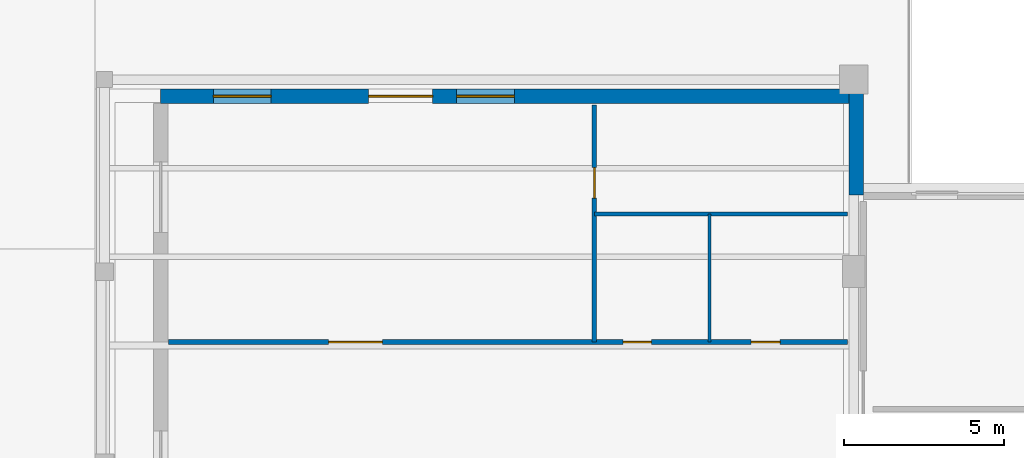
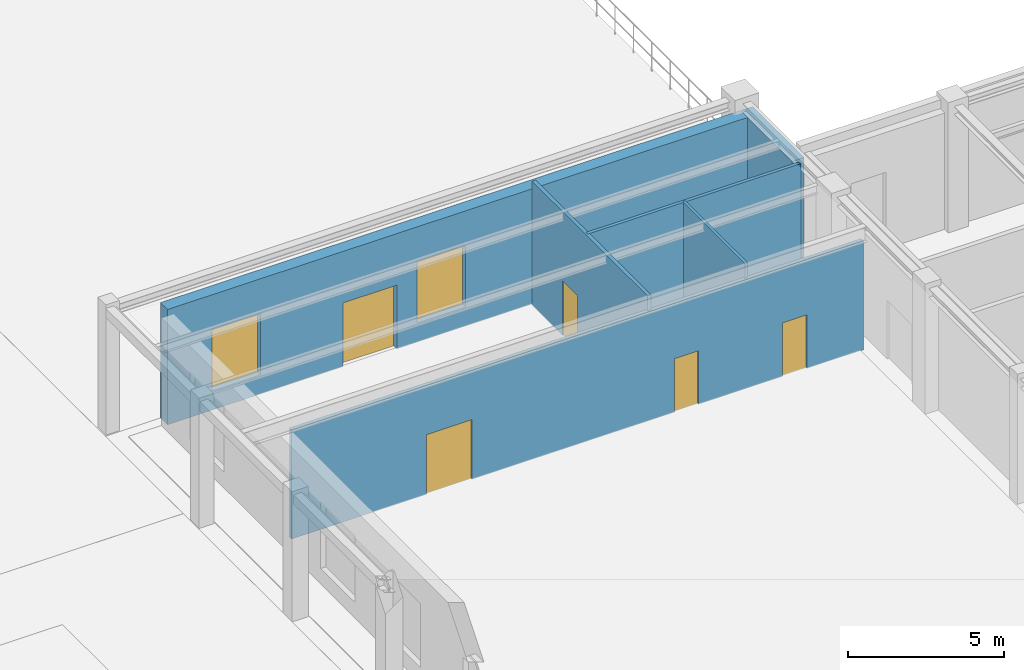
# One storey, part 41 of 68: 6 walls, 5 doors, 2 windows, 7 openings.
"""IFC4 building model written with IfcOpenShell, lengths in metres."""

from ifc_helpers import new_model, si_unit, direction, frame, frame_2d, origin, place, context, subcontext, project, spatial, rectangle, extrude, material, layer, layer_set, type_object, element, fill, save


model = new_model("IFC4")

# Units and contexts
model_context = context("Model", 3, precision=1e-05, world=origin(), true_north=direction((0.0, 1.0)))
body_context = subcontext(model_context, "Body", "Model", "MODEL_VIEW")
ifc_project = project(units=[si_unit("LENGTHUNIT", "METRE"), si_unit("AREAUNIT", "SQUARE_METRE"), si_unit("VOLUMEUNIT", "CUBIC_METRE"), si_unit("PLANEANGLEUNIT", "RADIAN"), si_unit("MASSUNIT", "GRAM", prefix="KILO"), si_unit("THERMODYNAMICTEMPERATUREUNIT", "KELVIN"), si_unit("POWERUNIT", "WATT")], contexts=[model_context])

# Site, building, storey
site_placement = place(None, origin())
site = spatial("IfcSite", under=ifc_project, at=site_placement, CompositionType="ELEMENT")
building_placement = place(site_placement, origin())
building = spatial("IfcBuilding", under=site, at=building_placement, Name="Solvatero Civic Police Headquarters", CompositionType="ELEMENT")
storey_placement = place(building_placement, origin())
storey = spatial("IfcBuildingStorey", under=building, at=storey_placement, Name="L00", CompositionType="ELEMENT", Elevation=0.0)

# Wall, openings, door, windows
ifc_material_1 = material(Name="Grey Sandstone Ashlar", Category="masonry")
ifc_layer_1 = layer(ifc_material_1, 0.449951171875)
ifc_layer_set_1 = layer_set([ifc_layer_1], Name="Grey Sandstone Ashlar")
wall_type_1 = type_object("IfcWallType", Name="WL-EXT-SAND-450", PredefinedType="SOLIDWALL", material=ifc_layer_set_1)
wall_1_placement = place(storey_placement, frame((100.550048828125, 46.280029296875, 0.0), z_axis=(0.0, 0.0, 1.0), x_axis=(1.0, 0.0, 0.0)))
wall_1 = element("IfcWall", 1, at=wall_1_placement, inside=storey, type_object=wall_type_1, Name="Exterior Wall WLE-L00-V1-N", PredefinedType="SOLIDWALL", context=body_context, shape_type="SweptSolid", body=[
    extrude(rectangle(XDim=21.72998046875, YDim=0.449951171875, at=frame_2d((10.864990234375, 0.0))), origin(), (0.0, 0.0, 1.0), 4.51806640625),
])
opening_1_placement = place(wall_1_placement, frame((6.5, 0.0, 0.0)))
opening_1 = element("IfcOpeningElement", 2, at=opening_1_placement, cuts=wall_1, Name="Opening ED-05", PredefinedType="OPENING", context=body_context, shape_type="SweptSolid", body=[
    extrude(rectangle(XDim=2.0, YDim=2.5, at=frame_2d((1.0, 1.25))), frame((0.0, 0.23486328125, 0.0), z_axis=(0.0, -1.0, 0.0), x_axis=(1.0, 0.0, 0.0)), (0.0, 0.0, 1.0), 0.469970703125),
])
opening_2_placement = place(wall_1_placement, frame((1.64990234375, 0.0, 0.75)))
opening_2 = element("IfcOpeningElement", 3, at=opening_2_placement, cuts=wall_1, Name="Opening W-05", PredefinedType="OPENING", context=body_context, shape_type="SweptSolid", body=[
    extrude(rectangle(XDim=1.800048828125, YDim=2.39990234375, at=frame_2d((0.89990234375, 1.199951171875))), frame((0.0, 0.23486328125, 0.0), z_axis=(0.0, -1.0, 0.0), x_axis=(1.0, 0.0, 0.0)), (0.0, 0.0, 1.0), 0.469970703125),
])
opening_3_placement = place(wall_1_placement, frame((9.25, 0.0, 0.75)))
opening_3 = element("IfcOpeningElement", 4, at=opening_3_placement, cuts=wall_1, Name="Opening W-05", PredefinedType="OPENING", context=body_context, shape_type="SweptSolid", body=[
    extrude(rectangle(XDim=1.800048828125, YDim=2.39990234375, at=frame_2d((0.89990234375, 1.199951171875))), frame((0.0, 0.23486328125, 0.0), z_axis=(0.0, -1.0, 0.0), x_axis=(1.0, 0.0, 0.0)), (0.0, 0.0, 1.0), 0.469970703125),
])
ifc_material_2 = material(Name="Anodized Bronze Aluminium and Laminated Glass", Category="aluminium")
door_type_1 = type_object("IfcDoorType", Name="DR-EXT-200x250", OperationType="DOUBLE_DOOR_SINGLE_SWING", PredefinedType="DOOR", material=ifc_material_2)
door_1_placement = place(opening_1_placement, origin())
door_1 = element("IfcDoor", 5, at=door_1_placement, inside=storey, type_object=door_type_1, Name="Exterior Door DR-L00-V1-NORTH", OperationType="DOUBLE_DOOR_SINGLE_SWING", OverallHeight=2.5, OverallWidth=2.0, PredefinedType="DOOR", context=body_context, shape_type="SweptSolid", body=[
    extrude(rectangle(XDim=2.0, YDim=2.5, at=frame_2d((1.0, 1.25))), frame((0.0, 0.02490234375, 0.0), z_axis=(0.0, -1.0, 0.0), x_axis=(1.0, 0.0, 0.0)), (0.0, 0.0, 1.0), 0.050048828125),
])
fill(opening_1, door_1)
ifc_material_3 = material(Name="Anodized Bronze Aluminium", Category="aluminium")
window_type = type_object("IfcWindowType", Name="WN-CL-180x240", PartitioningType="SINGLE_PANEL", PredefinedType="WINDOW", material=ifc_material_3)
window_1_placement = place(opening_2_placement, origin())
window_1 = element("IfcWindow", 6, at=window_1_placement, inside=storey, type_object=window_type, Name="Exterior Window 0273", OverallHeight=2.39990234375, OverallWidth=1.800048828125, PartitioningType="SINGLE_PANEL", PredefinedType="WINDOW", context=body_context, shape_type="SweptSolid", body=[
    extrude(rectangle(XDim=1.800048828125, YDim=2.39990234375, at=frame_2d((0.89990234375, 1.199951171875))), frame((0.0, 0.030029296875, 0.0), z_axis=(0.0, -1.0, 0.0), x_axis=(1.0, 0.0, 0.0)), (0.0, 0.0, 1.0), 0.06005859375),
])
fill(opening_2, window_1)
window_2_placement = place(opening_3_placement, origin())
window_2 = element("IfcWindow", 7, at=window_2_placement, inside=storey, type_object=window_type, Name="Exterior Window 0274", OverallHeight=2.39990234375, OverallWidth=1.800048828125, PartitioningType="SINGLE_PANEL", PredefinedType="WINDOW", context=body_context, shape_type="SweptSolid", body=[
    extrude(rectangle(XDim=1.800048828125, YDim=2.39990234375, at=frame_2d((0.89990234375, 1.199951171875))), frame((0.0, 0.030029296875, 0.0), z_axis=(0.0, -1.0, 0.0), x_axis=(1.0, 0.0, 0.0)), (0.0, 0.0, 1.0), 0.06005859375),
])
fill(opening_3, window_2)

# Walls
wall_2_placement = place(storey_placement, frame((122.280029296875, 43.199951171875, 0.0), z_axis=(0.0, 0.0, 1.0), x_axis=(0.0, 1.0, 0.0)))
element("IfcWall", 8, at=wall_2_placement, inside=storey, type_object=wall_type_1, Name="Exterior Wall WLE-L00-V1-NE", PredefinedType="SOLIDWALL", context=body_context, shape_type="SweptSolid", body=[
    extrude(rectangle(XDim=3.300048828125, YDim=0.449951171875, at=frame_2d((1.64990234375, 0.0))), origin(), (0.0, 0.0, 1.0), 4.52001953125),
])
ifc_material_4 = material(Name="Gypsum Acoustic Stud", Category="gypsum")
ifc_layer_2 = layer(ifc_material_4, 0.10009765625)
ifc_layer_set_2 = layer_set([ifc_layer_2], Name="Gypsum Acoustic Stud")
wall_type_2 = type_object("IfcWallType", Name="WL-PTN-100", PredefinedType="PARTITIONING", material=ifc_layer_set_2)
wall_3_placement = place(storey_placement, frame((117.699951171875, 38.60009765625, 0.0), z_axis=(0.0, 0.0, 1.0), x_axis=(0.0, 1.0, 0.0)))
element("IfcWall", 9, at=wall_3_placement, inside=storey, type_object=wall_type_2, Name="Interior Partition WLP-L00-V1-WCD1", PredefinedType="PARTITIONING", context=body_context, shape_type="SweptSolid", body=[
    extrude(rectangle(XDim=4.0, YDim=0.10009765625, at=frame_2d((2.0, 0.0))), origin(), (0.0, 0.0, 1.0), 4.860107421875),
])
ifc_layer_3 = layer(ifc_material_4, 0.1201171875)
ifc_layer_set_3 = layer_set([ifc_layer_3], Name="Gypsum Acoustic Stud")
wall_type_3 = type_object("IfcWallType", Name="WL-PTN-120", PredefinedType="PARTITIONING", material=ifc_layer_set_3)
wall_4_placement = place(storey_placement, frame((114.10009765625, 42.60009765625, 0.0), z_axis=(0.0, 0.0, 1.0), x_axis=(1.0, 0.0, 0.0)))
element("IfcWall", 10, at=wall_4_placement, inside=storey, type_object=wall_type_3, Name="Interior Partition WLP-L00-V1-WCD2", PredefinedType="PARTITIONING", context=body_context, shape_type="SweptSolid", body=[
    extrude(rectangle(XDim=7.89990234375, YDim=0.1201171875, at=frame_2d((3.949951171875, 0.0))), origin(), (0.0, 0.0, 1.0), 4.860107421875),
])

# Wall, opening, door
ifc_material_5 = material(Name="Gypsum Double-Stud", Category="gypsum")
ifc_layer_4 = layer(ifc_material_5, 0.135009765625)
ifc_layer_set_4 = layer_set([ifc_layer_4], Name="Gypsum Double-Stud")
wall_type_4 = type_object("IfcWallType", Name="WL-PTN-135", PredefinedType="PARTITIONING", material=ifc_layer_set_4)
wall_5_placement = place(storey_placement, frame((114.10009765625, 38.60009765625, 0.0), z_axis=(0.0, 0.0, 1.0), x_axis=(0.0, 1.0, 0.0)))
wall_5 = element("IfcWall", 11, at=wall_5_placement, inside=storey, type_object=wall_type_4, Name="Interior Partition WLP-L00-V1-WCW", PredefinedType="PARTITIONING", context=body_context, shape_type="SweptSolid", body=[
    extrude(rectangle(XDim=7.39990234375, YDim=0.135009765625, at=frame_2d((3.699951171875, 0.0))), origin(), (0.0, 0.0, 1.0), 4.860107421875),
])
opening_4_placement = place(wall_5_placement, frame((4.5, 0.0, 0.0)))
opening_4 = element("IfcOpeningElement", 12, at=opening_4_placement, cuts=wall_5, Name="Opening ID-04", PredefinedType="OPENING", context=body_context, shape_type="SweptSolid", body=[
    extrude(rectangle(XDim=0.949951171875, YDim=2.14990234375, at=frame_2d((0.47509765625, 1.074951171875))), frame((0.0, 0.077392578125, 0.0), z_axis=(0.0, -1.0, 0.0), x_axis=(1.0, 0.0, 0.0)), (0.0, 0.0, 1.0), 0.155029296875),
])
ifc_material_6 = material(Name="Acoustic Oak Timber Veneer", Category="wood")
door_type_2 = type_object("IfcDoorType", Name="DR-ACC-095x215", OperationType="NOTDEFINED", PredefinedType="DOOR", material=ifc_material_6)
door_2_placement = place(opening_4_placement, origin())
door_2 = element("IfcDoor", 13, at=door_2_placement, inside=storey, type_object=door_type_2, Name="Interior Door DR-L00-PUB-WCA", OperationType="SINGLE_SWING_LEFT", OverallHeight=2.14990234375, OverallWidth=0.949951171875, PredefinedType="DOOR", context=body_context, shape_type="SweptSolid", body=[
    extrude(rectangle(XDim=0.949951171875, YDim=2.14990234375, at=frame_2d((0.47509765625, 1.074951171875))), frame((0.0, 0.02490234375, 0.0), z_axis=(0.0, -1.0, 0.0), x_axis=(1.0, 0.0, 0.0)), (0.0, 0.0, 1.0), 0.050048828125),
])
fill(opening_4, door_2)

# Wall, openings, doors
ifc_layer_5 = layer(ifc_material_4, 0.14990234375)
ifc_layer_set_5 = layer_set([ifc_layer_5], Name="Gypsum Acoustic Stud")
wall_type_5 = type_object("IfcWallType", Name="WL-PTN-150", PredefinedType="PARTITIONING", material=ifc_layer_set_5)
wall_6_placement = place(storey_placement, frame((100.800048828125, 38.60009765625, 0.0), z_axis=(0.0, 0.0, 1.0), x_axis=(1.0, 0.0, 0.0)))
wall_6 = element("IfcWall", 14, at=wall_6_placement, inside=storey, type_object=wall_type_5, Name="Interior Partition WLP-L00-V1-N", PredefinedType="PARTITIONING", context=body_context, shape_type="SweptSolid", body=[
    extrude(rectangle(XDim=21.199951171875, YDim=0.14990234375, at=frame_2d((10.60009765625, 0.0))), origin(), (0.0, 0.0, 1.0), 4.27001953125),
])
opening_5_placement = place(wall_6_placement, frame((5.0, 0.0, 0.0)))
opening_5 = element("IfcOpeningElement", 15, at=opening_5_placement, cuts=wall_6, Name="Opening ID-16", PredefinedType="OPENING", context=body_context, shape_type="SweptSolid", body=[
    extrude(rectangle(XDim=1.679931640625, YDim=2.340087890625, at=frame_2d((0.83984375, 1.169921875))), frame((0.0, 0.0849609375, 0.0), z_axis=(0.0, -1.0, 0.0), x_axis=(1.0, 0.0, 0.0)), (0.0, 0.0, 1.0), 0.169921875),
])
opening_6_placement = place(wall_6_placement, frame((14.199951171875, 0.0, 0.0)))
opening_6 = element("IfcOpeningElement", 16, at=opening_6_placement, cuts=wall_6, Name="Opening ID-01", PredefinedType="OPENING", context=body_context, shape_type="SweptSolid", body=[
    extrude(rectangle(XDim=0.8798828125, YDim=2.10009765625, at=frame_2d((0.43994140625, 1.050048828125))), frame((0.0, 0.0849609375, 0.0), z_axis=(0.0, -1.0, 0.0), x_axis=(1.0, 0.0, 0.0)), (0.0, 0.0, 1.0), 0.169921875),
])
opening_7_placement = place(wall_6_placement, frame((18.199951171875, 0.0, 0.0)))
opening_7 = element("IfcOpeningElement", 17, at=opening_7_placement, cuts=wall_6, Name="Opening ID-02", PredefinedType="OPENING", context=body_context, shape_type="SweptSolid", body=[
    extrude(rectangle(XDim=0.89990234375, YDim=2.10009765625, at=frame_2d((0.449951171875, 1.050048828125))), frame((0.0, 0.0849609375, 0.0), z_axis=(0.0, -1.0, 0.0), x_axis=(1.0, 0.0, 0.0)), (0.0, 0.0, 1.0), 0.169921875),
])
ifc_material_7 = material(Name="Powder-Coated Steel", Category="steel")
door_type_3 = type_object("IfcDoorType", Name="DR-DBL-168x234", OperationType="NOTDEFINED", PredefinedType="DOOR", material=ifc_material_7)
door_3_placement = place(opening_5_placement, origin())
door_3 = element("IfcDoor", 18, at=door_3_placement, inside=storey, type_object=door_type_3, Name="Interior Door DR-L00-WAIT", OperationType="DOUBLE_DOOR_SINGLE_SWING", OverallHeight=2.340087890625, OverallWidth=1.679931640625, PredefinedType="DOOR", context=body_context, shape_type="SweptSolid", body=[
    extrude(rectangle(XDim=1.679931640625, YDim=2.340087890625, at=frame_2d((0.83984375, 1.169921875))), frame((0.0, 0.02490234375, 0.0), z_axis=(0.0, -1.0, 0.0), x_axis=(1.0, 0.0, 0.0)), (0.0, 0.0, 1.0), 0.050048828125),
])
fill(opening_5, door_3)
door_type_4 = type_object("IfcDoorType", Name="DR-OFF-088x210", OperationType="NOTDEFINED", PredefinedType="DOOR", material=ifc_material_6)
door_4_placement = place(opening_6_placement, origin())
door_4 = element("IfcDoor", 19, at=door_4_placement, inside=storey, type_object=door_type_4, Name="Interior Door DR-L00-PUB-WCM", OperationType="SINGLE_SWING_LEFT", OverallHeight=2.10009765625, OverallWidth=0.8798828125, PredefinedType="DOOR", context=body_context, shape_type="SweptSolid", body=[
    extrude(rectangle(XDim=0.8798828125, YDim=2.10009765625, at=frame_2d((0.43994140625, 1.050048828125))), frame((0.0, 0.02490234375, 0.0), z_axis=(0.0, -1.0, 0.0), x_axis=(1.0, 0.0, 0.0)), (0.0, 0.0, 1.0), 0.050048828125),
])
fill(opening_6, door_4)
door_type_5 = type_object("IfcDoorType", Name="DR-OFF-090x210", OperationType="NOTDEFINED", PredefinedType="DOOR", material=ifc_material_6)
door_5_placement = place(opening_7_placement, origin())
door_5 = element("IfcDoor", 20, at=door_5_placement, inside=storey, type_object=door_type_5, Name="Interior Door DR-L00-PUB-WCF", OperationType="SINGLE_SWING_RIGHT", OverallHeight=2.10009765625, OverallWidth=0.89990234375, PredefinedType="DOOR", context=body_context, shape_type="SweptSolid", body=[
    extrude(rectangle(XDim=0.89990234375, YDim=2.10009765625, at=frame_2d((0.449951171875, 1.050048828125))), frame((0.0, 0.02490234375, 0.0), z_axis=(0.0, -1.0, 0.0), x_axis=(1.0, 0.0, 0.0)), (0.0, 0.0, 1.0), 0.050048828125),
])
fill(opening_7, door_5)

save(model, "model.ifc")
